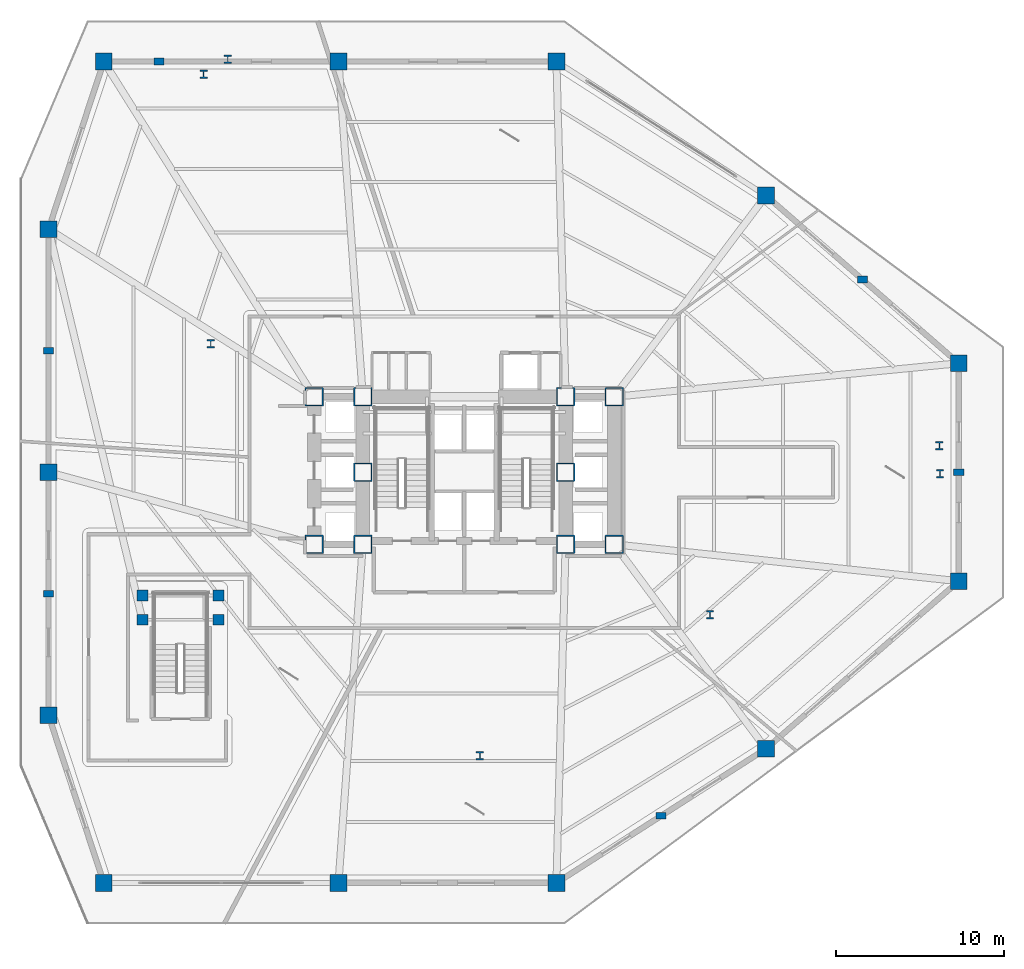
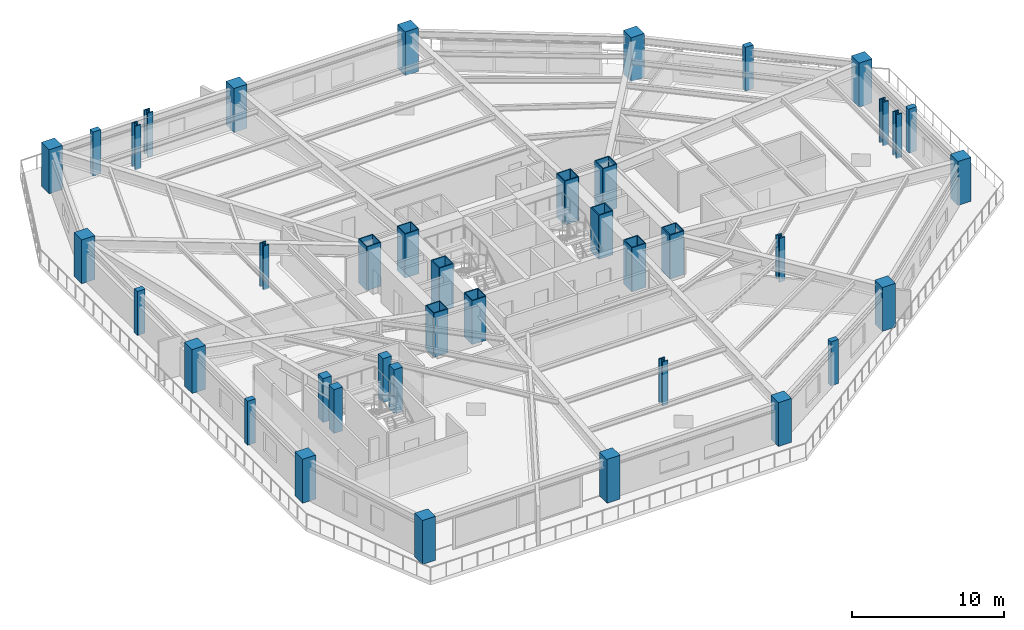
# One storey, part 1 of 12: 40 columns.
"""IFC4 building model written with IfcOpenShell, lengths in metres."""

import ifcopenshell
import ifcopenshell.guid

model = None  # the IFC model being written
_history = None  # IfcOwnerHistory: only IFC2X3 demands one
_inside = {}  # id of a spatial element -> (the spatial element, [elements in it])
_under = {}  # id of a project, library or spatial element -> (it, [spatial elements below it])
_declared = {}  # id of a project -> (the project, [libraries it declares])
_typed = {}  # id of a type object -> (the type object, [elements of that type])
_made_of = {}  # id of a material, layer set ... -> (it, [elements and type objects made of it])


def new_model(schema):
    """Start an empty IFC model of exactly this schema.

    Asked for "IFC4X3", IfcOpenShell would pick the latest addendum, in which some entities
    have other attributes; the version numbers below select the first issue.
    IFC2X3 requires an IfcOwnerHistory on every rooted entity: one is made here for all.
    """
    global model, _history
    if schema == "IFC4X3":
        model = ifcopenshell.file(schema_version=(4, 3, 0, 0))
    else:
        model = ifcopenshell.file(schema=schema)
    _inside.clear()
    _under.clear()
    _declared.clear()
    _typed.clear()
    _made_of.clear()
    _history = None
    if model.schema == "IFC2X3":
        org = make("IfcOrganization", Name="unknown")
        user = make(
            "IfcPersonAndOrganization",
            ThePerson=make("IfcPerson", FamilyName="unknown"),
            TheOrganization=org,
        )
        app = make(
            "IfcApplication",
            ApplicationDeveloper=org,
            Version="unknown",
            ApplicationFullName="unknown",
            ApplicationIdentifier="unknown",
        )
        _history = make(
            "IfcOwnerHistory",
            OwningUser=user,
            OwningApplication=app,
            ChangeAction="ADDED",
            CreationDate=0,
        )
    return model


def make(cls, **values):
    """One entity of the class cls with the attributes given. An attribute that is None is left unset."""
    return model.create_entity(
        cls, **{name: value for name, value in values.items() if value is not None}
    )


def rooted(cls, **values):
    """An entity with a GlobalId (a new one), such as an element, a storey or a relation."""
    return make(cls, GlobalId=ifcopenshell.guid.new(), OwnerHistory=_history, **values)


def si_unit(unit_type, name, prefix=None):
    """IfcSIUnit, for example si_unit("LENGTHUNIT", "METRE", prefix="MILLI")."""
    return make("IfcSIUnit", UnitType=unit_type, Prefix=prefix, Name=name)


def assignment(units):
    """IfcUnitAssignment: the units of a project."""
    return None if units is None else make("IfcUnitAssignment", Units=units)


def point(xyz):
    """IfcCartesianPoint."""
    return None if xyz is None else make("IfcCartesianPoint", Coordinates=xyz)


def direction(xyz):
    """IfcDirection."""
    return None if xyz is None else make("IfcDirection", DirectionRatios=xyz)


def frame(location, z_axis=None, x_axis=None):
    """IfcAxis2Placement3D, a coordinate frame: its origin and axes. An axis left out is left unset."""
    return make(
        "IfcAxis2Placement3D",
        Location=point(location),
        Axis=direction(z_axis),
        RefDirection=direction(x_axis),
    )


def frame_2d(location, x_axis=None):
    """IfcAxis2Placement2D, a coordinate frame in the plane: its origin and x axis."""
    return make(
        "IfcAxis2Placement2D", Location=point(location), RefDirection=direction(x_axis)
    )


def origin():
    """The frame at (0, 0, 0) with its axes left unset."""
    return frame((0.0, 0.0, 0.0))


def origin_2d():
    """The frame at (0, 0) in the plane with its x axis left unset."""
    return frame_2d((0.0, 0.0))


def place(relative_to, where):
    """IfcLocalPlacement: puts the frame where relative to a parent placement (None: the world)."""
    return make(
        "IfcLocalPlacement", PlacementRelTo=relative_to, RelativePlacement=where
    )


def context(
    kind, dimensions, precision=None, world=None, true_north=None, identifier=None
):
    """IfcGeometricRepresentationContext, for example the 3D "Model" context."""
    return make(
        "IfcGeometricRepresentationContext",
        ContextIdentifier=identifier,
        ContextType=kind,
        CoordinateSpaceDimension=dimensions,
        Precision=precision,
        WorldCoordinateSystem=world,
        TrueNorth=true_north,
    )


def subcontext(parent, identifier, kind, view, scale=None):
    """IfcGeometricRepresentationSubContext, for example "Body" below "Model"."""
    return make(
        "IfcGeometricRepresentationSubContext",
        ContextIdentifier=identifier,
        ContextType=kind,
        ParentContext=parent,
        TargetScale=scale,
        TargetView=view,
    )


def project(units=None, contexts=None):
    """IfcProject with its units and contexts."""
    return rooted(
        "IfcProject",
        Name="project",
        RepresentationContexts=contexts,
        UnitsInContext=assignment(units),
    )


def spatial(cls, under=None, at=None, **own):
    """A site, building, storey or space (cls), placed at a placement, below another one or the project."""
    s = rooted(cls, ObjectPlacement=at, **own)
    if under is not None:
        _under.setdefault(under.id(), (under, []))[1].append(s)
    return s


def profile(cls, at=None, kind="AREA", **sizes):
    """A parametric profile (cls). Its sizes go by their IFC names, for example OverallWidth=200.0."""
    return make(cls, ProfileType=kind, Position=at, **sizes)


def rectangle(**sizes):
    """IfcRectangleProfileDef."""
    return profile("IfcRectangleProfileDef", **sizes)


def hollow_rectangle(**sizes):
    """IfcRectangleHollowProfileDef."""
    return profile("IfcRectangleHollowProfileDef", **sizes)


def i_section(**sizes):
    """IfcIShapeProfileDef."""
    return profile("IfcIShapeProfileDef", **sizes)


def extrude(swept, where, along, depth):
    """IfcExtrudedAreaSolid: the profile swept, set in the frame where, extruded along a direction by depth."""
    return make(
        "IfcExtrudedAreaSolid",
        SweptArea=swept,
        Position=where,
        ExtrudedDirection=direction(along),
        Depth=depth,
    )


def shape(context_of_items, identifier, shape_type, items):
    """IfcShapeRepresentation: the items that make up one representation, for example the "Body"."""
    return make(
        "IfcShapeRepresentation",
        ContextOfItems=context_of_items,
        RepresentationIdentifier=identifier,
        RepresentationType=shape_type,
        Items=items,
    )


def material(Name=None, Category=None):
    """IfcMaterial."""
    return make("IfcMaterial", Name=Name, Category=Category)


def material_profile(
    of_material, cross_section, Name=None, Category=None, Priority=None
):
    """IfcMaterialProfile: a cross section and its material."""
    return make(
        "IfcMaterialProfile",
        Name=Name,
        Material=of_material,
        Profile=cross_section,
        Priority=Priority,
        Category=Category,
    )


def profile_set(profiles, Name=None, composite=None):
    """IfcMaterialProfileSet."""
    return make(
        "IfcMaterialProfileSet",
        Name=Name,
        MaterialProfiles=profiles,
        CompositeProfile=composite,
    )


def made_of(thing, what):
    """Note that an element or type object is made of a material, layer set ...; save() writes the relation."""
    if what is not None:
        _made_of.setdefault(what.id(), (what, []))[1].append(thing)
    return thing


def type_object(cls, material=None, **own):
    """A type object (cls), such as IfcWallType, which elements share."""
    return made_of(rooted(cls, **own), material)


def element(
    cls,
    number,
    at=None,
    inside=None,
    cuts=None,
    type_object=None,
    material=None,
    context=None,
    identifier="Body",
    shape_type=None,
    held_by="IfcProductDefinitionShape",
    body=None,
    shapes=None,
    **own,
):
    """One element of the class cls, such as IfcWall. Its Tag is "e" and its number.

    at: its placement. inside: the storey or other place that contains it. cuts: it is an
    opening in that element (IfcRelVoidsElement). A single representation is given by context,
    identifier, shape_type and body (its items); several are given by shapes. held_by: the class
    of the entity that holds the representations. save() writes the other relations.
    """
    e = rooted(cls, Tag="e%d" % number, ObjectPlacement=at, **own)
    if body is not None:
        shapes = [shape(context, identifier, shape_type, body)]
    if shapes is not None:
        e.Representation = make(held_by, Representations=shapes)
    if inside is not None:
        _inside.setdefault(inside.id(), (inside, []))[1].append(e)
    if cuts is not None:
        rooted(
            "IfcRelVoidsElement", RelatingBuildingElement=cuts, RelatedOpeningElement=e
        )
    if type_object is not None:
        _typed.setdefault(type_object.id(), (type_object, []))[1].append(e)
    return made_of(e, material)


def aggregate(whole, parts):
    """IfcRelAggregates: a whole, such as a stair, and the parts it consists of."""
    return rooted("IfcRelAggregates", RelatingObject=whole, RelatedObjects=parts)


def save(model, path):
    """Write the relations noted so far, then the file.

    IfcRelAggregates (storeys below a building ...), IfcRelContainedInSpatialStructure (elements
    in a storey), IfcRelDefinesByType, IfcRelAssociatesMaterial and IfcRelDeclares: one each for
    every whole, place, type object, material and project.
    """
    for whole, parts in _under.values():
        aggregate(whole, parts)
    for where, things in _inside.values():
        rooted(
            "IfcRelContainedInSpatialStructure",
            RelatedElements=things,
            RelatingStructure=where,
        )
    for kind, things in _typed.values():
        rooted("IfcRelDefinesByType", RelatedObjects=things, RelatingType=kind)
    for what, things in _made_of.values():
        rooted("IfcRelAssociatesMaterial", RelatedObjects=things, RelatingMaterial=what)
    for by, libraries in _declared.values():
        rooted("IfcRelDeclares", RelatingContext=by, RelatedDefinitions=libraries)
    model.write(path)


model = new_model("IFC4")

# Units and contexts
model_context = context("Model", 3, precision=1e-05, world=origin(), true_north=direction((0.0, 1.0)))
body_context = subcontext(model_context, "Body", "Model", "MODEL_VIEW")
ifc_project = project(units=[si_unit("LENGTHUNIT", "METRE"), si_unit("AREAUNIT", "SQUARE_METRE"), si_unit("VOLUMEUNIT", "CUBIC_METRE"), si_unit("PLANEANGLEUNIT", "RADIAN"), si_unit("MASSUNIT", "GRAM", prefix="KILO")], contexts=[model_context])

# Site, building, storey
site_placement = place(None, origin())
site = spatial("IfcSite", under=ifc_project, at=site_placement, CompositionType="ELEMENT")
building_placement = place(site_placement, origin())
building = spatial("IfcBuilding", under=site, at=building_placement, Name="Rocaltana Carrier Exchange", CompositionType="ELEMENT")
storey_placement = place(building_placement, frame((0.0, 0.0, 8.320068359375)))
storey = spatial("IfcBuildingStorey", under=building, at=storey_placement, Name="L03", CompositionType="ELEMENT", Elevation=8.320068359375)

# Columns
ifc_material_1 = material(Name="Concrete C60/75", Category="concrete")
ifc_material_profile_1 = material_profile(ifc_material_1, rectangle(XDim=0.60009765625, YDim=0.39990234375, at=origin_2d()), Name="RC-PIL-600X400")
ifc_profile_set_1 = profile_set([ifc_material_profile_1], Name="Concrete C60/75")
column_type_1 = type_object("IfcColumnType", Name="Concourse Boundary Pilaster 600x400", PredefinedType="PILASTER", material=ifc_profile_set_1)
for number, where, z_axis, x_axis, name in (
    (1, (11.75, -20.5, 0.0), (0.0, 0.0, 1.0), (1.0, 0.0, 0.0), "L03 Concourse Pilaster PL01"),
    (2, (29.5, 0.0, 0.0), (0.0, 0.0, 1.0), (1.0, 0.0, 0.0), "L03 Concourse Pilaster PL02"),
    (3, (-18.199951171875, 24.5, 0.0), (0.0, 0.0, 1.0), (1.0, 0.0, 0.0), "L03 Concourse Pilaster PL03"),
    (4, (23.75, 11.5, 0.0), (0.0, 0.0, 1.0), (1.0, 0.0, 0.0), "L03 Concourse Pilaster PL04"),
    (5, (-24.800048828125, 7.25, 0.0), (0.0, 0.0, 1.0), (1.0, 0.0, 0.0), "L03 Concourse Pilaster PL05"),
    (6, (-24.800048828125, -7.25, 0.0), (0.0, 0.0, 1.0), (1.0, 0.0, 0.0), "L03 Concourse Pilaster PL06"),
):
    element("IfcColumn", number, at=place(storey_placement, frame(where, z_axis=z_axis, x_axis=x_axis)), inside=storey, type_object=column_type_1, Name=name, PredefinedType="PILASTER", context=body_context, shape_type="SweptSolid", body=[
        extrude(rectangle(XDim=0.60009765625, YDim=0.39990234375, at=origin_2d()), origin(), (0.0, 0.0, 1.0), 3.52001953125),
    ])
ifc_material_2 = material(Name="Steel S460", Category="steel")
ifc_material_profile_2 = material_profile(ifc_material_2, hollow_rectangle(XDim=1.10009765625, YDim=1.10009765625, WallThickness=0.070068359375, InnerFilletRadius=0.02001953125, OuterFilletRadius=0.0400390625, at=origin_2d()), Name="BOX1100X1100X70")
ifc_profile_set_2 = profile_set([ifc_material_profile_2], Name="Steel S460")
column_type_2 = type_object("IfcColumnType", Name="Core Mega-Column BOX1100", PredefinedType="COLUMN", material=ifc_profile_set_2)
for number, where, z_axis, x_axis, name in (
    (7, (-6.050048828125, 4.5, 0.0), (0.0, 0.0, 1.0), (1.0, 0.0, 0.0), "L03 Core Mega-Column MC1"),
    (8, (6.050048828125, 4.5, 0.0), (0.0, 0.0, 1.0), (1.0, 0.0, 0.0), "L03 Core Mega-Column MC2"),
    (9, (-6.050048828125, 0.0, 0.0), (0.0, 0.0, 1.0), (1.0, 0.0, 0.0), "L03 Core Mega-Column MC3"),
    (10, (6.050048828125, 0.0, 0.0), (0.0, 0.0, 1.0), (1.0, 0.0, 0.0), "L03 Core Mega-Column MC4"),
    (11, (-6.050048828125, -4.300048828125, 0.0), (0.0, 0.0, 1.0), (1.0, 0.0, 0.0), "L03 Core Mega-Column MC5"),
    (12, (6.050048828125, -4.300048828125, 0.0), (0.0, 0.0, 1.0), (1.0, 0.0, 0.0), "L03 Core Mega-Column MC6"),
    (13, (-8.949951171875, 4.5, 0.0), (0.0, 0.0, 1.0), (1.0, 0.0, 0.0), "L03 West Core Column WC1"),
    (14, (-8.949951171875, -4.300048828125, 0.0), (0.0, 0.0, 1.0), (1.0, 0.0, 0.0), "L03 West Core Column WC2"),
    (15, (8.949951171875, 4.5, 0.0), (0.0, 0.0, 1.0), (1.0, 0.0, 0.0), "L03 East Core Column EC1"),
    (16, (8.949951171875, -4.300048828125, 0.0), (0.0, 0.0, 1.0), (1.0, 0.0, 0.0), "L03 East Core Column EC2"),
):
    element("IfcColumn", number, at=place(storey_placement, frame(where, z_axis=z_axis, x_axis=x_axis)), inside=storey, type_object=column_type_2, Name=name, PredefinedType="COLUMN", context=body_context, shape_type="SweptSolid", body=[
        extrude(hollow_rectangle(XDim=1.10009765625, YDim=1.10009765625, WallThickness=0.070068359375, InnerFilletRadius=0.02001953125, OuterFilletRadius=0.0400390625, at=origin_2d()), origin(), (0.0, 0.0, 1.0), 3.52001953125),
    ])
ifc_material_3 = material(Name="Steel S460", Category="steel")
ifc_material_profile_3 = material_profile(ifc_material_3, i_section(OverallWidth=0.431884765625, OverallDepth=0.498046875, WebThickness=0.0556640625, FlangeThickness=0.0888671875, FilletRadius=0.02490234375, at=origin_2d()), Name="W14X500")
ifc_profile_set_3 = profile_set([ifc_material_profile_3], Name="Steel S460")
column_type_3 = type_object("IfcColumnType", Name="Perimeter Column W14X500", PredefinedType="COLUMN", material=ifc_profile_set_3)
for number, where, z_axis, x_axis, name in (
    (17, (28.340576171875, 1.5849609375, 0.0), (0.0, 0.0, 1.0), (1.0, 0.0, 0.0), "L03 Podium Tower Mega-Column PT01"),
    (18, (-14.106201171875, 24.631591796875, 0.0), (0.0, 0.0, 1.0), (1.0, 0.0, 0.0), "L03 Podium Tower Mega-Column PT04"),
    (19, (-15.54296875, 23.751220703125, 0.0), (0.0, 0.0, 1.0), (1.0, 0.0, 0.0), "L03 Podium Tower Mega-Column PT05"),
    (20, (-15.121337890625, 7.65673828125, 0.0), (0.0, 0.0, 1.0), (1.0, 0.0, 0.0), "L03 Podium Tower Mega-Column PT06"),
    (21, (0.9296875, -16.923828125, 0.0), (0.0, 0.0, 1.0), (1.0, 0.0, 0.0), "L03 Podium Tower Mega-Column PT10"),
    (22, (14.6572265625, -8.51171875, 0.0), (0.0, 0.0, 1.0), (1.0, 0.0, 0.0), "L03 Podium Tower Mega-Column PT11"),
    (23, (28.384765625, -0.099609375, 0.0), (0.0, 0.0, 1.0), (1.0, 0.0, 0.0), "L03 Podium Tower Mega-Column PT12"),
):
    element("IfcColumn", number, at=place(storey_placement, frame(where, z_axis=z_axis, x_axis=x_axis)), inside=storey, type_object=column_type_3, Name=name, PredefinedType="COLUMN", context=body_context, shape_type="SweptSolid", body=[
        extrude(i_section(OverallWidth=0.431884765625, OverallDepth=0.498046875, WebThickness=0.0556640625, FlangeThickness=0.0888671875, FilletRadius=0.02490234375, at=origin_2d()), origin(), (0.0, 0.0, 1.0), 3.52001953125),
    ])
ifc_material_4 = material(Name="Concrete C60/75", Category="concrete")
ifc_material_profile_4 = material_profile(ifc_material_4, rectangle(XDim=1.0, YDim=1.0, at=origin_2d()), Name="RC-COL-1000X1000")
ifc_profile_set_4 = profile_set([ifc_material_profile_4], Name="Concrete C60/75")
column_type_4 = type_object("IfcColumnType", Name="Podium RC Column 1000", PredefinedType="COLUMN", material=ifc_profile_set_4)
for number, where, z_axis, x_axis, name in (
    (24, (-21.5, -24.5, 0.0), (0.0, 0.0, 1.0), (1.0, 0.0, 0.0), "L03 Podium Mega-Column PC01"),
    (25, (-7.5, -24.5, 0.0), (0.0, 0.0, 1.0), (1.0, 0.0, 0.0), "L03 Podium Mega-Column PC02"),
    (26, (5.5, -24.5, 0.0), (0.0, 0.0, 1.0), (1.0, 0.0, 0.0), "L03 Podium Mega-Column PC03"),
    (27, (18.0, -16.5, 0.0), (0.0, 0.0, 1.0), (1.0, 0.0, 0.0), "L03 Podium Mega-Column PC04"),
    (28, (29.5, -6.5, 0.0), (0.0, 0.0, 1.0), (1.0, 0.0, 0.0), "L03 Podium Mega-Column PC05"),
    (29, (29.5, 6.5, 0.0), (0.0, 0.0, 1.0), (1.0, 0.0, 0.0), "L03 Podium Mega-Column PC06"),
    (30, (18.0, 16.5, 0.0), (0.0, 0.0, 1.0), (1.0, 0.0, 0.0), "L03 Podium Mega-Column PC07"),
    (31, (5.5, 24.5, 0.0), (0.0, 0.0, 1.0), (1.0, 0.0, 0.0), "L03 Podium Mega-Column PC08"),
    (32, (-7.5, 24.5, 0.0), (0.0, 0.0, 1.0), (1.0, 0.0, 0.0), "L03 Podium Mega-Column PC09"),
    (33, (-21.5, 24.5, 0.0), (0.0, 0.0, 1.0), (1.0, 0.0, 0.0), "L03 Podium Mega-Column PC10"),
    (34, (-24.800048828125, 14.5, 0.0), (0.0, 0.0, 1.0), (1.0, 0.0, 0.0), "L03 Podium Mega-Column PC11"),
    (35, (-24.800048828125, 0.0, 0.0), (0.0, 0.0, 1.0), (1.0, 0.0, 0.0), "L03 Podium Mega-Column PC13"),
    (36, (-24.800048828125, -14.5, 0.0), (0.0, 0.0, 1.0), (1.0, 0.0, 0.0), "L03 Podium Mega-Column PC12"),
):
    element("IfcColumn", number, at=place(storey_placement, frame(where, z_axis=z_axis, x_axis=x_axis)), inside=storey, type_object=column_type_4, Name=name, PredefinedType="COLUMN", context=body_context, shape_type="SweptSolid", body=[
        extrude(rectangle(XDim=1.0, YDim=1.0, at=origin_2d()), origin(), (0.0, 0.0, 1.0), 3.52001953125),
    ])
ifc_material_5 = material(Name="Concrete C50/60", Category="concrete")
ifc_material_profile_5 = material_profile(ifc_material_5, rectangle(XDim=0.64990234375, YDim=0.64990234375, at=origin_2d()), Name="RC-COL-650X650")
ifc_profile_set_5 = profile_set([ifc_material_profile_5], Name="Concrete C50/60")
column_type_5 = type_object("IfcColumnType", Name="Stair Shaft RC Column 650", PredefinedType="COLUMN", material=ifc_profile_set_5)
for number, where, z_axis, x_axis, name in (
    (37, (-19.199951171875, -8.800048828125, 0.0), (0.0, 0.0, 1.0), (1.0, 0.0, 0.0), "L03 Stair Shaft Column SC3A"),
    (38, (-14.64990234375, -8.800048828125, 0.0), (0.0, 0.0, 1.0), (1.0, 0.0, 0.0), "L03 Stair Shaft Column SC3B"),
    (39, (-19.199951171875, -7.35009765625, 0.0), (0.0, 0.0, 1.0), (1.0, 0.0, 0.0), "L03 Stair Shaft Column SC3C"),
    (40, (-14.64990234375, -7.35009765625, 0.0), (0.0, 0.0, 1.0), (1.0, 0.0, 0.0), "L03 Stair Shaft Column SC3D"),
):
    element("IfcColumn", number, at=place(storey_placement, frame(where, z_axis=z_axis, x_axis=x_axis)), inside=storey, type_object=column_type_5, Name=name, PredefinedType="COLUMN", context=body_context, shape_type="SweptSolid", body=[
        extrude(rectangle(XDim=0.64990234375, YDim=0.64990234375, at=origin_2d()), origin(), (0.0, 0.0, 1.0), 3.52001953125),
    ])

save(model, "model.ifc")
